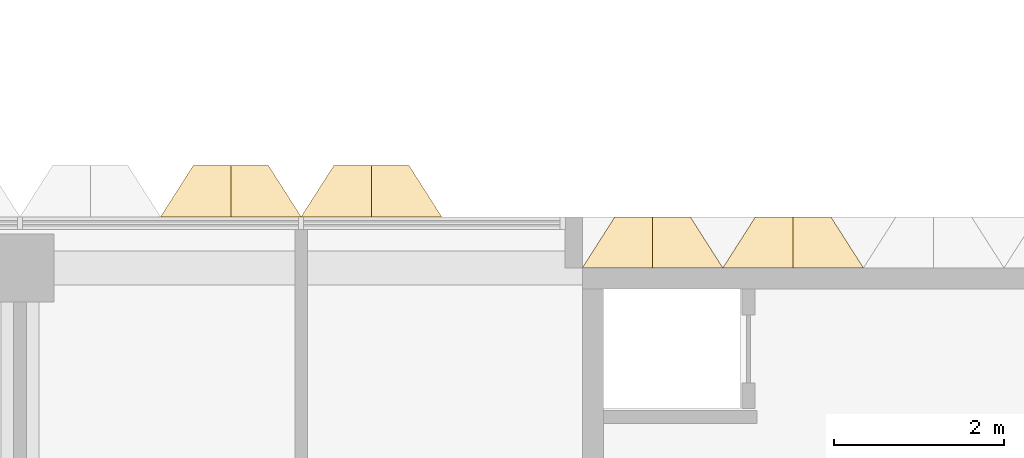
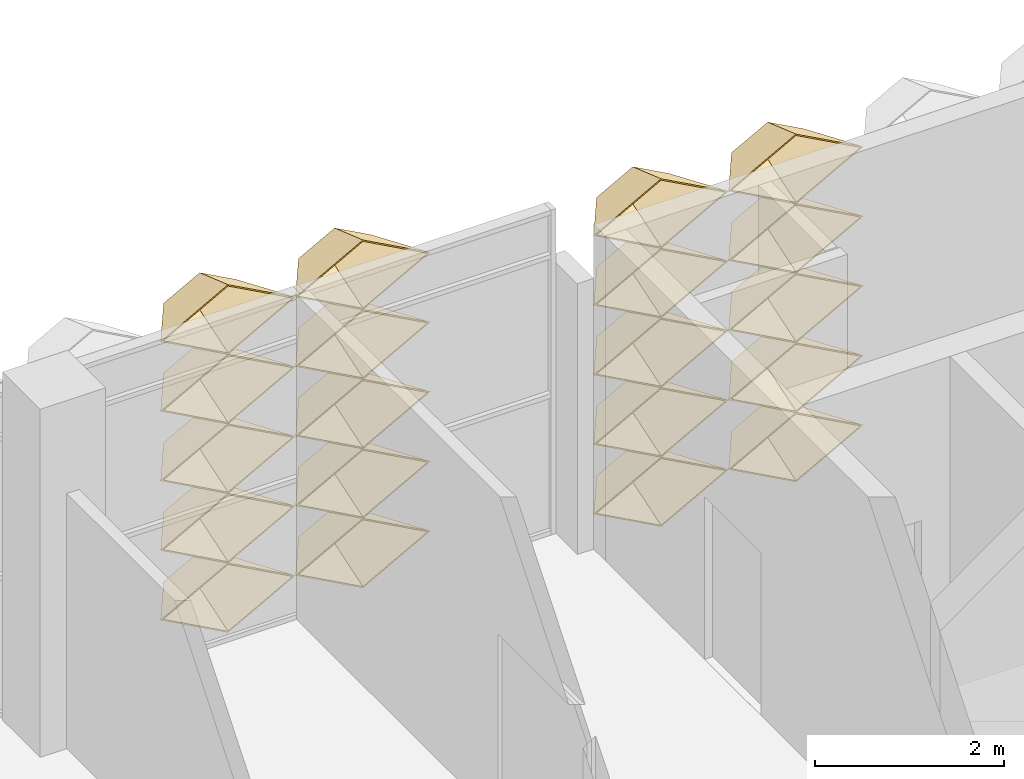
# One storey, part 67 of 102: 20 coverings.
"""IFC4 building model written with IfcOpenShell, lengths in metres."""

from ifc_helpers import new_model, entity, si_unit, direction, frame, origin, place, context, subcontext, project, spatial, material, layer, layer_set, type_object, element, save


model = new_model("IFC4")

# Units and contexts
model_context = context("Model", 3, precision=1e-05, world=origin(), true_north=direction((0.0, 1.0)))
body_context = subcontext(model_context, "Body", "Model", "MODEL_VIEW")
ifc_project = project(units=[si_unit("LENGTHUNIT", "METRE"), si_unit("AREAUNIT", "SQUARE_METRE"), si_unit("VOLUMEUNIT", "CUBIC_METRE"), si_unit("PLANEANGLEUNIT", "RADIAN"), si_unit("MASSUNIT", "GRAM", prefix="KILO")], contexts=[model_context])

# Site, building, storey
site_placement = place(None, origin())
site = spatial("IfcSite", under=ifc_project, at=site_placement, CompositionType="ELEMENT")
building_placement = place(site_placement, origin())
building = spatial("IfcBuilding", under=site, at=building_placement, Name="Lantern Court Research Institute", CompositionType="ELEMENT")
storey_placement = place(building_placement, frame((0.0, 0.0, 9.89990234375)))
storey = spatial("IfcBuildingStorey", under=building, at=storey_placement, Name="L02", CompositionType="ELEMENT", Elevation=9.89990234375)

# Coverings
ifc_material = material(Name="Anodised aluminium", Category="aluminium")
ifc_layer = layer(ifc_material, 0.01611328125)
ifc_layer_set = layer_set([ifc_layer], Name="Anodised aluminium")
covering_type = type_object("IfcCoveringType", Name="Fin cassette 1650 x 900 x 600 aluminium", PredefinedType="CLADDING", material=ifc_layer_set)
covering_1_placement = place(storey_placement, frame((20.625, 23.10009765625, 0.4501953125), z_axis=(0.0, 1.0, 0.0), x_axis=(-1.0, 0.0, 0.0)))
cartesian_point_1 = entity("IfcCartesianPoint", [0.824951171875, 0.0])
cartesian_point_2 = entity("IfcCartesianPoint", [0.79150390625, 0.0])
cartesian_point_3 = entity("IfcCartesianPoint", [0.44189453125, 0.0])
cartesian_point_4 = entity("IfcCartesianPoint", [0.43359375, 0.0])
element("IfcCovering", 1, at=covering_1_placement, inside=storey, type_object=covering_type, Name="Fin cassette V4N-L02 1.13", PredefinedType="CLADDING", context=body_context, shape_type="SweptSolid", body=[
    entity("IfcExtrudedAreaSolidTapered", entity("IfcArbitraryProfileDefWithVoids", "AREA", None, entity("IfcPolyline", [cartesian_point_1, entity("IfcCartesianPoint", [0.0, 0.449951171875]), entity("IfcCartesianPoint", [-0.824951171875, 0.0]), entity("IfcCartesianPoint", [0.0, -0.449951171875]), cartesian_point_1]), [entity("IfcPolyline", [cartesian_point_2, entity("IfcCartesianPoint", [0.0, 0.431884765625]), entity("IfcCartesianPoint", [-0.79150390625, 0.0]), entity("IfcCartesianPoint", [0.0, -0.431884765625]), cartesian_point_2])]), entity("IfcAxis2Placement3D", entity("IfcCartesianPoint", [0.0, 0.0, 0.0])), entity("IfcDirection", [0.0, 0.0, 1.0]), 0.60009765625, entity("IfcArbitraryProfileDefWithVoids", "AREA", None, entity("IfcPolyline", [cartesian_point_3, entity("IfcCartesianPoint", [0.0, 0.240966796875]), entity("IfcCartesianPoint", [-0.44189453125, 0.0]), entity("IfcCartesianPoint", [0.0, -0.240966796875]), cartesian_point_3]), [entity("IfcPolyline", [cartesian_point_4, entity("IfcCartesianPoint", [0.0, 0.236572265625]), entity("IfcCartesianPoint", [-0.43359375, 0.0]), entity("IfcCartesianPoint", [0.0, -0.236572265625]), cartesian_point_4])])),
])
covering_2_placement = place(storey_placement, frame((22.27490234375, 23.10009765625, 0.4501953125), z_axis=(0.0, 1.0, 0.0), x_axis=(-1.0, 0.0, 0.0)))
cartesian_point_5 = entity("IfcCartesianPoint", [0.824951171875, 0.0])
cartesian_point_6 = entity("IfcCartesianPoint", [0.79150390625, 0.0])
cartesian_point_7 = entity("IfcCartesianPoint", [0.44189453125, 0.0])
cartesian_point_8 = entity("IfcCartesianPoint", [0.43359375, 0.0])
element("IfcCovering", 2, at=covering_2_placement, inside=storey, type_object=covering_type, Name="Fin cassette V4N-L02 1.14", PredefinedType="CLADDING", context=body_context, shape_type="SweptSolid", body=[
    entity("IfcExtrudedAreaSolidTapered", entity("IfcArbitraryProfileDefWithVoids", "AREA", None, entity("IfcPolyline", [cartesian_point_5, entity("IfcCartesianPoint", [0.0, 0.449951171875]), entity("IfcCartesianPoint", [-0.824951171875, 0.0]), entity("IfcCartesianPoint", [0.0, -0.449951171875]), cartesian_point_5]), [entity("IfcPolyline", [cartesian_point_6, entity("IfcCartesianPoint", [0.0, 0.431884765625]), entity("IfcCartesianPoint", [-0.79150390625, 0.0]), entity("IfcCartesianPoint", [0.0, -0.431884765625]), cartesian_point_6])]), entity("IfcAxis2Placement3D", entity("IfcCartesianPoint", [0.0, 0.0, 0.0])), entity("IfcDirection", [0.0, 0.0, 1.0]), 0.60009765625, entity("IfcArbitraryProfileDefWithVoids", "AREA", None, entity("IfcPolyline", [cartesian_point_7, entity("IfcCartesianPoint", [0.0, 0.240966796875]), entity("IfcCartesianPoint", [-0.44189453125, 0.0]), entity("IfcCartesianPoint", [0.0, -0.240966796875]), cartesian_point_7]), [entity("IfcPolyline", [cartesian_point_8, entity("IfcCartesianPoint", [0.0, 0.236572265625]), entity("IfcCartesianPoint", [-0.43359375, 0.0]), entity("IfcCartesianPoint", [0.0, -0.236572265625]), cartesian_point_8])])),
])
covering_3_placement = place(storey_placement, frame((20.625, 23.10009765625, 1.35009765625), z_axis=(0.0, 1.0, 0.0), x_axis=(-1.0, 0.0, 0.0)))
cartesian_point_9 = entity("IfcCartesianPoint", [0.824951171875, 0.0])
cartesian_point_10 = entity("IfcCartesianPoint", [0.79150390625, 0.0])
cartesian_point_11 = entity("IfcCartesianPoint", [0.44189453125, 0.0])
cartesian_point_12 = entity("IfcCartesianPoint", [0.43359375, 0.0])
element("IfcCovering", 3, at=covering_3_placement, inside=storey, type_object=covering_type, Name="Fin cassette V4N-L02 2.13", PredefinedType="CLADDING", context=body_context, shape_type="SweptSolid", body=[
    entity("IfcExtrudedAreaSolidTapered", entity("IfcArbitraryProfileDefWithVoids", "AREA", None, entity("IfcPolyline", [cartesian_point_9, entity("IfcCartesianPoint", [0.0, 0.449951171875]), entity("IfcCartesianPoint", [-0.824951171875, 0.0]), entity("IfcCartesianPoint", [0.0, -0.449951171875]), cartesian_point_9]), [entity("IfcPolyline", [cartesian_point_10, entity("IfcCartesianPoint", [0.0, 0.431884765625]), entity("IfcCartesianPoint", [-0.79150390625, 0.0]), entity("IfcCartesianPoint", [0.0, -0.431884765625]), cartesian_point_10])]), entity("IfcAxis2Placement3D", entity("IfcCartesianPoint", [0.0, 0.0, 0.0])), entity("IfcDirection", [0.0, 0.0, 1.0]), 0.60009765625, entity("IfcArbitraryProfileDefWithVoids", "AREA", None, entity("IfcPolyline", [cartesian_point_11, entity("IfcCartesianPoint", [0.0, 0.240966796875]), entity("IfcCartesianPoint", [-0.44189453125, 0.0]), entity("IfcCartesianPoint", [0.0, -0.240966796875]), cartesian_point_11]), [entity("IfcPolyline", [cartesian_point_12, entity("IfcCartesianPoint", [0.0, 0.236572265625]), entity("IfcCartesianPoint", [-0.43359375, 0.0]), entity("IfcCartesianPoint", [0.0, -0.236572265625]), cartesian_point_12])])),
])
covering_4_placement = place(storey_placement, frame((22.27490234375, 23.10009765625, 1.35009765625), z_axis=(0.0, 1.0, 0.0), x_axis=(-1.0, 0.0, 0.0)))
cartesian_point_13 = entity("IfcCartesianPoint", [0.824951171875, 0.0])
cartesian_point_14 = entity("IfcCartesianPoint", [0.79150390625, 0.0])
cartesian_point_15 = entity("IfcCartesianPoint", [0.44189453125, 0.0])
cartesian_point_16 = entity("IfcCartesianPoint", [0.43359375, 0.0])
element("IfcCovering", 4, at=covering_4_placement, inside=storey, type_object=covering_type, Name="Fin cassette V4N-L02 2.14", PredefinedType="CLADDING", context=body_context, shape_type="SweptSolid", body=[
    entity("IfcExtrudedAreaSolidTapered", entity("IfcArbitraryProfileDefWithVoids", "AREA", None, entity("IfcPolyline", [cartesian_point_13, entity("IfcCartesianPoint", [0.0, 0.449951171875]), entity("IfcCartesianPoint", [-0.824951171875, 0.0]), entity("IfcCartesianPoint", [0.0, -0.449951171875]), cartesian_point_13]), [entity("IfcPolyline", [cartesian_point_14, entity("IfcCartesianPoint", [0.0, 0.431884765625]), entity("IfcCartesianPoint", [-0.79150390625, 0.0]), entity("IfcCartesianPoint", [0.0, -0.431884765625]), cartesian_point_14])]), entity("IfcAxis2Placement3D", entity("IfcCartesianPoint", [0.0, 0.0, 0.0])), entity("IfcDirection", [0.0, 0.0, 1.0]), 0.60009765625, entity("IfcArbitraryProfileDefWithVoids", "AREA", None, entity("IfcPolyline", [cartesian_point_15, entity("IfcCartesianPoint", [0.0, 0.240966796875]), entity("IfcCartesianPoint", [-0.44189453125, 0.0]), entity("IfcCartesianPoint", [0.0, -0.240966796875]), cartesian_point_15]), [entity("IfcPolyline", [cartesian_point_16, entity("IfcCartesianPoint", [0.0, 0.236572265625]), entity("IfcCartesianPoint", [-0.43359375, 0.0]), entity("IfcCartesianPoint", [0.0, -0.236572265625]), cartesian_point_16])])),
])
covering_5_placement = place(storey_placement, frame((20.625, 23.10009765625, 2.25), z_axis=(0.0, 1.0, 0.0), x_axis=(-1.0, 0.0, 0.0)))
cartesian_point_17 = entity("IfcCartesianPoint", [0.824951171875, 0.0])
cartesian_point_18 = entity("IfcCartesianPoint", [0.79150390625, 0.0])
cartesian_point_19 = entity("IfcCartesianPoint", [0.44189453125, 0.0])
cartesian_point_20 = entity("IfcCartesianPoint", [0.43359375, 0.0])
element("IfcCovering", 5, at=covering_5_placement, inside=storey, type_object=covering_type, Name="Fin cassette V4N-L02 3.13", PredefinedType="CLADDING", context=body_context, shape_type="SweptSolid", body=[
    entity("IfcExtrudedAreaSolidTapered", entity("IfcArbitraryProfileDefWithVoids", "AREA", None, entity("IfcPolyline", [cartesian_point_17, entity("IfcCartesianPoint", [0.0, 0.449951171875]), entity("IfcCartesianPoint", [-0.824951171875, 0.0]), entity("IfcCartesianPoint", [0.0, -0.449951171875]), cartesian_point_17]), [entity("IfcPolyline", [cartesian_point_18, entity("IfcCartesianPoint", [0.0, 0.431884765625]), entity("IfcCartesianPoint", [-0.79150390625, 0.0]), entity("IfcCartesianPoint", [0.0, -0.431884765625]), cartesian_point_18])]), entity("IfcAxis2Placement3D", entity("IfcCartesianPoint", [0.0, 0.0, 0.0])), entity("IfcDirection", [0.0, 0.0, 1.0]), 0.60009765625, entity("IfcArbitraryProfileDefWithVoids", "AREA", None, entity("IfcPolyline", [cartesian_point_19, entity("IfcCartesianPoint", [0.0, 0.240966796875]), entity("IfcCartesianPoint", [-0.44189453125, 0.0]), entity("IfcCartesianPoint", [0.0, -0.240966796875]), cartesian_point_19]), [entity("IfcPolyline", [cartesian_point_20, entity("IfcCartesianPoint", [0.0, 0.236572265625]), entity("IfcCartesianPoint", [-0.43359375, 0.0]), entity("IfcCartesianPoint", [0.0, -0.236572265625]), cartesian_point_20])])),
])
covering_6_placement = place(storey_placement, frame((22.27490234375, 23.10009765625, 2.25), z_axis=(0.0, 1.0, 0.0), x_axis=(-1.0, 0.0, 0.0)))
cartesian_point_21 = entity("IfcCartesianPoint", [0.824951171875, 0.0])
cartesian_point_22 = entity("IfcCartesianPoint", [0.79150390625, 0.0])
cartesian_point_23 = entity("IfcCartesianPoint", [0.44189453125, 0.0])
cartesian_point_24 = entity("IfcCartesianPoint", [0.43359375, 0.0])
element("IfcCovering", 6, at=covering_6_placement, inside=storey, type_object=covering_type, Name="Fin cassette V4N-L02 3.14", PredefinedType="CLADDING", context=body_context, shape_type="SweptSolid", body=[
    entity("IfcExtrudedAreaSolidTapered", entity("IfcArbitraryProfileDefWithVoids", "AREA", None, entity("IfcPolyline", [cartesian_point_21, entity("IfcCartesianPoint", [0.0, 0.449951171875]), entity("IfcCartesianPoint", [-0.824951171875, 0.0]), entity("IfcCartesianPoint", [0.0, -0.449951171875]), cartesian_point_21]), [entity("IfcPolyline", [cartesian_point_22, entity("IfcCartesianPoint", [0.0, 0.431884765625]), entity("IfcCartesianPoint", [-0.79150390625, 0.0]), entity("IfcCartesianPoint", [0.0, -0.431884765625]), cartesian_point_22])]), entity("IfcAxis2Placement3D", entity("IfcCartesianPoint", [0.0, 0.0, 0.0])), entity("IfcDirection", [0.0, 0.0, 1.0]), 0.60009765625, entity("IfcArbitraryProfileDefWithVoids", "AREA", None, entity("IfcPolyline", [cartesian_point_23, entity("IfcCartesianPoint", [0.0, 0.240966796875]), entity("IfcCartesianPoint", [-0.44189453125, 0.0]), entity("IfcCartesianPoint", [0.0, -0.240966796875]), cartesian_point_23]), [entity("IfcPolyline", [cartesian_point_24, entity("IfcCartesianPoint", [0.0, 0.236572265625]), entity("IfcCartesianPoint", [-0.43359375, 0.0]), entity("IfcCartesianPoint", [0.0, -0.236572265625]), cartesian_point_24])])),
])
covering_7_placement = place(storey_placement, frame((20.625, 23.10009765625, 3.150146484375), z_axis=(0.0, 1.0, 0.0), x_axis=(-1.0, 0.0, 0.0)))
cartesian_point_25 = entity("IfcCartesianPoint", [0.824951171875, 0.0])
cartesian_point_26 = entity("IfcCartesianPoint", [0.79150390625, 0.0])
cartesian_point_27 = entity("IfcCartesianPoint", [0.44189453125, 0.0])
cartesian_point_28 = entity("IfcCartesianPoint", [0.43359375, 0.0])
element("IfcCovering", 7, at=covering_7_placement, inside=storey, type_object=covering_type, Name="Fin cassette V4N-L02 4.13", PredefinedType="CLADDING", context=body_context, shape_type="SweptSolid", body=[
    entity("IfcExtrudedAreaSolidTapered", entity("IfcArbitraryProfileDefWithVoids", "AREA", None, entity("IfcPolyline", [cartesian_point_25, entity("IfcCartesianPoint", [0.0, 0.449951171875]), entity("IfcCartesianPoint", [-0.824951171875, 0.0]), entity("IfcCartesianPoint", [0.0, -0.449951171875]), cartesian_point_25]), [entity("IfcPolyline", [cartesian_point_26, entity("IfcCartesianPoint", [0.0, 0.431884765625]), entity("IfcCartesianPoint", [-0.79150390625, 0.0]), entity("IfcCartesianPoint", [0.0, -0.431884765625]), cartesian_point_26])]), entity("IfcAxis2Placement3D", entity("IfcCartesianPoint", [0.0, 0.0, 0.0])), entity("IfcDirection", [0.0, 0.0, 1.0]), 0.60009765625, entity("IfcArbitraryProfileDefWithVoids", "AREA", None, entity("IfcPolyline", [cartesian_point_27, entity("IfcCartesianPoint", [0.0, 0.240966796875]), entity("IfcCartesianPoint", [-0.44189453125, 0.0]), entity("IfcCartesianPoint", [0.0, -0.240966796875]), cartesian_point_27]), [entity("IfcPolyline", [cartesian_point_28, entity("IfcCartesianPoint", [0.0, 0.236572265625]), entity("IfcCartesianPoint", [-0.43359375, 0.0]), entity("IfcCartesianPoint", [0.0, -0.236572265625]), cartesian_point_28])])),
])
covering_8_placement = place(storey_placement, frame((22.27490234375, 23.10009765625, 3.150146484375), z_axis=(0.0, 1.0, 0.0), x_axis=(-1.0, 0.0, 0.0)))
cartesian_point_29 = entity("IfcCartesianPoint", [0.824951171875, 0.0])
cartesian_point_30 = entity("IfcCartesianPoint", [0.79150390625, 0.0])
cartesian_point_31 = entity("IfcCartesianPoint", [0.44189453125, 0.0])
cartesian_point_32 = entity("IfcCartesianPoint", [0.43359375, 0.0])
element("IfcCovering", 8, at=covering_8_placement, inside=storey, type_object=covering_type, Name="Fin cassette V4N-L02 4.14", PredefinedType="CLADDING", context=body_context, shape_type="SweptSolid", body=[
    entity("IfcExtrudedAreaSolidTapered", entity("IfcArbitraryProfileDefWithVoids", "AREA", None, entity("IfcPolyline", [cartesian_point_29, entity("IfcCartesianPoint", [0.0, 0.449951171875]), entity("IfcCartesianPoint", [-0.824951171875, 0.0]), entity("IfcCartesianPoint", [0.0, -0.449951171875]), cartesian_point_29]), [entity("IfcPolyline", [cartesian_point_30, entity("IfcCartesianPoint", [0.0, 0.431884765625]), entity("IfcCartesianPoint", [-0.79150390625, 0.0]), entity("IfcCartesianPoint", [0.0, -0.431884765625]), cartesian_point_30])]), entity("IfcAxis2Placement3D", entity("IfcCartesianPoint", [0.0, 0.0, 0.0])), entity("IfcDirection", [0.0, 0.0, 1.0]), 0.60009765625, entity("IfcArbitraryProfileDefWithVoids", "AREA", None, entity("IfcPolyline", [cartesian_point_31, entity("IfcCartesianPoint", [0.0, 0.240966796875]), entity("IfcCartesianPoint", [-0.44189453125, 0.0]), entity("IfcCartesianPoint", [0.0, -0.240966796875]), cartesian_point_31]), [entity("IfcPolyline", [cartesian_point_32, entity("IfcCartesianPoint", [0.0, 0.236572265625]), entity("IfcCartesianPoint", [-0.43359375, 0.0]), entity("IfcCartesianPoint", [0.0, -0.236572265625]), cartesian_point_32])])),
])
covering_9_placement = place(storey_placement, frame((20.625, 23.10009765625, 4.050048828125), z_axis=(0.0, 1.0, 0.0), x_axis=(-1.0, 0.0, 0.0)))
cartesian_point_33 = entity("IfcCartesianPoint", [0.824951171875, 0.0])
cartesian_point_34 = entity("IfcCartesianPoint", [0.79150390625, 0.0])
cartesian_point_35 = entity("IfcCartesianPoint", [0.44189453125, 0.0])
cartesian_point_36 = entity("IfcCartesianPoint", [0.43359375, 0.0])
element("IfcCovering", 9, at=covering_9_placement, inside=storey, type_object=covering_type, Name="Fin cassette V4N-L02 5.13", PredefinedType="CLADDING", context=body_context, shape_type="SweptSolid", body=[
    entity("IfcExtrudedAreaSolidTapered", entity("IfcArbitraryProfileDefWithVoids", "AREA", None, entity("IfcPolyline", [cartesian_point_33, entity("IfcCartesianPoint", [0.0, 0.449951171875]), entity("IfcCartesianPoint", [-0.824951171875, 0.0]), entity("IfcCartesianPoint", [0.0, -0.449951171875]), cartesian_point_33]), [entity("IfcPolyline", [cartesian_point_34, entity("IfcCartesianPoint", [0.0, 0.431884765625]), entity("IfcCartesianPoint", [-0.79150390625, 0.0]), entity("IfcCartesianPoint", [0.0, -0.431884765625]), cartesian_point_34])]), entity("IfcAxis2Placement3D", entity("IfcCartesianPoint", [0.0, 0.0, 0.0])), entity("IfcDirection", [0.0, 0.0, 1.0]), 0.60009765625, entity("IfcArbitraryProfileDefWithVoids", "AREA", None, entity("IfcPolyline", [cartesian_point_35, entity("IfcCartesianPoint", [0.0, 0.240966796875]), entity("IfcCartesianPoint", [-0.44189453125, 0.0]), entity("IfcCartesianPoint", [0.0, -0.240966796875]), cartesian_point_35]), [entity("IfcPolyline", [cartesian_point_36, entity("IfcCartesianPoint", [0.0, 0.236572265625]), entity("IfcCartesianPoint", [-0.43359375, 0.0]), entity("IfcCartesianPoint", [0.0, -0.236572265625]), cartesian_point_36])])),
])
covering_10_placement = place(storey_placement, frame((22.27490234375, 23.10009765625, 4.050048828125), z_axis=(0.0, 1.0, 0.0), x_axis=(-1.0, 0.0, 0.0)))
cartesian_point_37 = entity("IfcCartesianPoint", [0.824951171875, 0.0])
cartesian_point_38 = entity("IfcCartesianPoint", [0.79150390625, 0.0])
cartesian_point_39 = entity("IfcCartesianPoint", [0.44189453125, 0.0])
cartesian_point_40 = entity("IfcCartesianPoint", [0.43359375, 0.0])
element("IfcCovering", 10, at=covering_10_placement, inside=storey, type_object=covering_type, Name="Fin cassette V4N-L02 5.14", PredefinedType="CLADDING", context=body_context, shape_type="SweptSolid", body=[
    entity("IfcExtrudedAreaSolidTapered", entity("IfcArbitraryProfileDefWithVoids", "AREA", None, entity("IfcPolyline", [cartesian_point_37, entity("IfcCartesianPoint", [0.0, 0.449951171875]), entity("IfcCartesianPoint", [-0.824951171875, 0.0]), entity("IfcCartesianPoint", [0.0, -0.449951171875]), cartesian_point_37]), [entity("IfcPolyline", [cartesian_point_38, entity("IfcCartesianPoint", [0.0, 0.431884765625]), entity("IfcCartesianPoint", [-0.79150390625, 0.0]), entity("IfcCartesianPoint", [0.0, -0.431884765625]), cartesian_point_38])]), entity("IfcAxis2Placement3D", entity("IfcCartesianPoint", [0.0, 0.0, 0.0])), entity("IfcDirection", [0.0, 0.0, 1.0]), 0.60009765625, entity("IfcArbitraryProfileDefWithVoids", "AREA", None, entity("IfcPolyline", [cartesian_point_39, entity("IfcCartesianPoint", [0.0, 0.240966796875]), entity("IfcCartesianPoint", [-0.44189453125, 0.0]), entity("IfcCartesianPoint", [0.0, -0.240966796875]), cartesian_point_39]), [entity("IfcPolyline", [cartesian_point_40, entity("IfcCartesianPoint", [0.0, 0.236572265625]), entity("IfcCartesianPoint", [-0.43359375, 0.0]), entity("IfcCartesianPoint", [0.0, -0.236572265625]), cartesian_point_40])])),
])
covering_11_placement = place(storey_placement, frame((15.675048828125, 23.699951171875, 0.4501953125), z_axis=(0.0, 1.0, 0.0), x_axis=(-1.0, 0.0, 0.0)))
cartesian_point_41 = entity("IfcCartesianPoint", [0.824951171875, 0.0])
cartesian_point_42 = entity("IfcCartesianPoint", [0.79150390625, 0.0])
cartesian_point_43 = entity("IfcCartesianPoint", [0.44189453125, 0.0])
cartesian_point_44 = entity("IfcCartesianPoint", [0.43359375, 0.0])
element("IfcCovering", 11, at=covering_11_placement, inside=storey, type_object=covering_type, Name="Fin cassette V4N-L02 1.10", PredefinedType="CLADDING", context=body_context, shape_type="SweptSolid", body=[
    entity("IfcExtrudedAreaSolidTapered", entity("IfcArbitraryProfileDefWithVoids", "AREA", None, entity("IfcPolyline", [cartesian_point_41, entity("IfcCartesianPoint", [0.0, 0.449951171875]), entity("IfcCartesianPoint", [-0.824951171875, 0.0]), entity("IfcCartesianPoint", [0.0, -0.449951171875]), cartesian_point_41]), [entity("IfcPolyline", [cartesian_point_42, entity("IfcCartesianPoint", [0.0, 0.431884765625]), entity("IfcCartesianPoint", [-0.79150390625, 0.0]), entity("IfcCartesianPoint", [0.0, -0.431884765625]), cartesian_point_42])]), entity("IfcAxis2Placement3D", entity("IfcCartesianPoint", [0.0, 0.0, 0.0])), entity("IfcDirection", [0.0, 0.0, 1.0]), 0.60009765625, entity("IfcArbitraryProfileDefWithVoids", "AREA", None, entity("IfcPolyline", [cartesian_point_43, entity("IfcCartesianPoint", [0.0, 0.240966796875]), entity("IfcCartesianPoint", [-0.44189453125, 0.0]), entity("IfcCartesianPoint", [0.0, -0.240966796875]), cartesian_point_43]), [entity("IfcPolyline", [cartesian_point_44, entity("IfcCartesianPoint", [0.0, 0.236572265625]), entity("IfcCartesianPoint", [-0.43359375, 0.0]), entity("IfcCartesianPoint", [0.0, -0.236572265625]), cartesian_point_44])])),
])
covering_12_placement = place(storey_placement, frame((17.324951171875, 23.699951171875, 0.4501953125), z_axis=(0.0, 1.0, 0.0), x_axis=(-1.0, 0.0, 0.0)))
cartesian_point_45 = entity("IfcCartesianPoint", [0.824951171875, 0.0])
cartesian_point_46 = entity("IfcCartesianPoint", [0.79150390625, 0.0])
cartesian_point_47 = entity("IfcCartesianPoint", [0.44189453125, 0.0])
cartesian_point_48 = entity("IfcCartesianPoint", [0.43359375, 0.0])
element("IfcCovering", 12, at=covering_12_placement, inside=storey, type_object=covering_type, Name="Fin cassette V4N-L02 1.11", PredefinedType="CLADDING", context=body_context, shape_type="SweptSolid", body=[
    entity("IfcExtrudedAreaSolidTapered", entity("IfcArbitraryProfileDefWithVoids", "AREA", None, entity("IfcPolyline", [cartesian_point_45, entity("IfcCartesianPoint", [0.0, 0.449951171875]), entity("IfcCartesianPoint", [-0.824951171875, 0.0]), entity("IfcCartesianPoint", [0.0, -0.449951171875]), cartesian_point_45]), [entity("IfcPolyline", [cartesian_point_46, entity("IfcCartesianPoint", [0.0, 0.431884765625]), entity("IfcCartesianPoint", [-0.79150390625, 0.0]), entity("IfcCartesianPoint", [0.0, -0.431884765625]), cartesian_point_46])]), entity("IfcAxis2Placement3D", entity("IfcCartesianPoint", [0.0, 0.0, 0.0])), entity("IfcDirection", [0.0, 0.0, 1.0]), 0.60009765625, entity("IfcArbitraryProfileDefWithVoids", "AREA", None, entity("IfcPolyline", [cartesian_point_47, entity("IfcCartesianPoint", [0.0, 0.240966796875]), entity("IfcCartesianPoint", [-0.44189453125, 0.0]), entity("IfcCartesianPoint", [0.0, -0.240966796875]), cartesian_point_47]), [entity("IfcPolyline", [cartesian_point_48, entity("IfcCartesianPoint", [0.0, 0.236572265625]), entity("IfcCartesianPoint", [-0.43359375, 0.0]), entity("IfcCartesianPoint", [0.0, -0.236572265625]), cartesian_point_48])])),
])
covering_13_placement = place(storey_placement, frame((15.675048828125, 23.699951171875, 1.35009765625), z_axis=(0.0, 1.0, 0.0), x_axis=(-1.0, 0.0, 0.0)))
cartesian_point_49 = entity("IfcCartesianPoint", [0.824951171875, 0.0])
cartesian_point_50 = entity("IfcCartesianPoint", [0.79150390625, 0.0])
cartesian_point_51 = entity("IfcCartesianPoint", [0.44189453125, 0.0])
cartesian_point_52 = entity("IfcCartesianPoint", [0.43359375, 0.0])
element("IfcCovering", 13, at=covering_13_placement, inside=storey, type_object=covering_type, Name="Fin cassette V4N-L02 2.10", PredefinedType="CLADDING", context=body_context, shape_type="SweptSolid", body=[
    entity("IfcExtrudedAreaSolidTapered", entity("IfcArbitraryProfileDefWithVoids", "AREA", None, entity("IfcPolyline", [cartesian_point_49, entity("IfcCartesianPoint", [0.0, 0.449951171875]), entity("IfcCartesianPoint", [-0.824951171875, 0.0]), entity("IfcCartesianPoint", [0.0, -0.449951171875]), cartesian_point_49]), [entity("IfcPolyline", [cartesian_point_50, entity("IfcCartesianPoint", [0.0, 0.431884765625]), entity("IfcCartesianPoint", [-0.79150390625, 0.0]), entity("IfcCartesianPoint", [0.0, -0.431884765625]), cartesian_point_50])]), entity("IfcAxis2Placement3D", entity("IfcCartesianPoint", [0.0, 0.0, 0.0])), entity("IfcDirection", [0.0, 0.0, 1.0]), 0.60009765625, entity("IfcArbitraryProfileDefWithVoids", "AREA", None, entity("IfcPolyline", [cartesian_point_51, entity("IfcCartesianPoint", [0.0, 0.240966796875]), entity("IfcCartesianPoint", [-0.44189453125, 0.0]), entity("IfcCartesianPoint", [0.0, -0.240966796875]), cartesian_point_51]), [entity("IfcPolyline", [cartesian_point_52, entity("IfcCartesianPoint", [0.0, 0.236572265625]), entity("IfcCartesianPoint", [-0.43359375, 0.0]), entity("IfcCartesianPoint", [0.0, -0.236572265625]), cartesian_point_52])])),
])
covering_14_placement = place(storey_placement, frame((17.324951171875, 23.699951171875, 1.35009765625), z_axis=(0.0, 1.0, 0.0), x_axis=(-1.0, 0.0, 0.0)))
cartesian_point_53 = entity("IfcCartesianPoint", [0.824951171875, 0.0])
cartesian_point_54 = entity("IfcCartesianPoint", [0.79150390625, 0.0])
cartesian_point_55 = entity("IfcCartesianPoint", [0.44189453125, 0.0])
cartesian_point_56 = entity("IfcCartesianPoint", [0.43359375, 0.0])
element("IfcCovering", 14, at=covering_14_placement, inside=storey, type_object=covering_type, Name="Fin cassette V4N-L02 2.11", PredefinedType="CLADDING", context=body_context, shape_type="SweptSolid", body=[
    entity("IfcExtrudedAreaSolidTapered", entity("IfcArbitraryProfileDefWithVoids", "AREA", None, entity("IfcPolyline", [cartesian_point_53, entity("IfcCartesianPoint", [0.0, 0.449951171875]), entity("IfcCartesianPoint", [-0.824951171875, 0.0]), entity("IfcCartesianPoint", [0.0, -0.449951171875]), cartesian_point_53]), [entity("IfcPolyline", [cartesian_point_54, entity("IfcCartesianPoint", [0.0, 0.431884765625]), entity("IfcCartesianPoint", [-0.79150390625, 0.0]), entity("IfcCartesianPoint", [0.0, -0.431884765625]), cartesian_point_54])]), entity("IfcAxis2Placement3D", entity("IfcCartesianPoint", [0.0, 0.0, 0.0])), entity("IfcDirection", [0.0, 0.0, 1.0]), 0.60009765625, entity("IfcArbitraryProfileDefWithVoids", "AREA", None, entity("IfcPolyline", [cartesian_point_55, entity("IfcCartesianPoint", [0.0, 0.240966796875]), entity("IfcCartesianPoint", [-0.44189453125, 0.0]), entity("IfcCartesianPoint", [0.0, -0.240966796875]), cartesian_point_55]), [entity("IfcPolyline", [cartesian_point_56, entity("IfcCartesianPoint", [0.0, 0.236572265625]), entity("IfcCartesianPoint", [-0.43359375, 0.0]), entity("IfcCartesianPoint", [0.0, -0.236572265625]), cartesian_point_56])])),
])
covering_15_placement = place(storey_placement, frame((15.675048828125, 23.699951171875, 2.25), z_axis=(0.0, 1.0, 0.0), x_axis=(-1.0, 0.0, 0.0)))
cartesian_point_57 = entity("IfcCartesianPoint", [0.824951171875, 0.0])
cartesian_point_58 = entity("IfcCartesianPoint", [0.79150390625, 0.0])
cartesian_point_59 = entity("IfcCartesianPoint", [0.44189453125, 0.0])
cartesian_point_60 = entity("IfcCartesianPoint", [0.43359375, 0.0])
element("IfcCovering", 15, at=covering_15_placement, inside=storey, type_object=covering_type, Name="Fin cassette V4N-L02 3.10", PredefinedType="CLADDING", context=body_context, shape_type="SweptSolid", body=[
    entity("IfcExtrudedAreaSolidTapered", entity("IfcArbitraryProfileDefWithVoids", "AREA", None, entity("IfcPolyline", [cartesian_point_57, entity("IfcCartesianPoint", [0.0, 0.449951171875]), entity("IfcCartesianPoint", [-0.824951171875, 0.0]), entity("IfcCartesianPoint", [0.0, -0.449951171875]), cartesian_point_57]), [entity("IfcPolyline", [cartesian_point_58, entity("IfcCartesianPoint", [0.0, 0.431884765625]), entity("IfcCartesianPoint", [-0.79150390625, 0.0]), entity("IfcCartesianPoint", [0.0, -0.431884765625]), cartesian_point_58])]), entity("IfcAxis2Placement3D", entity("IfcCartesianPoint", [0.0, 0.0, 0.0])), entity("IfcDirection", [0.0, 0.0, 1.0]), 0.60009765625, entity("IfcArbitraryProfileDefWithVoids", "AREA", None, entity("IfcPolyline", [cartesian_point_59, entity("IfcCartesianPoint", [0.0, 0.240966796875]), entity("IfcCartesianPoint", [-0.44189453125, 0.0]), entity("IfcCartesianPoint", [0.0, -0.240966796875]), cartesian_point_59]), [entity("IfcPolyline", [cartesian_point_60, entity("IfcCartesianPoint", [0.0, 0.236572265625]), entity("IfcCartesianPoint", [-0.43359375, 0.0]), entity("IfcCartesianPoint", [0.0, -0.236572265625]), cartesian_point_60])])),
])
covering_16_placement = place(storey_placement, frame((17.324951171875, 23.699951171875, 2.25), z_axis=(0.0, 1.0, 0.0), x_axis=(-1.0, 0.0, 0.0)))
cartesian_point_61 = entity("IfcCartesianPoint", [0.824951171875, 0.0])
cartesian_point_62 = entity("IfcCartesianPoint", [0.79150390625, 0.0])
cartesian_point_63 = entity("IfcCartesianPoint", [0.44189453125, 0.0])
cartesian_point_64 = entity("IfcCartesianPoint", [0.43359375, 0.0])
element("IfcCovering", 16, at=covering_16_placement, inside=storey, type_object=covering_type, Name="Fin cassette V4N-L02 3.11", PredefinedType="CLADDING", context=body_context, shape_type="SweptSolid", body=[
    entity("IfcExtrudedAreaSolidTapered", entity("IfcArbitraryProfileDefWithVoids", "AREA", None, entity("IfcPolyline", [cartesian_point_61, entity("IfcCartesianPoint", [0.0, 0.449951171875]), entity("IfcCartesianPoint", [-0.824951171875, 0.0]), entity("IfcCartesianPoint", [0.0, -0.449951171875]), cartesian_point_61]), [entity("IfcPolyline", [cartesian_point_62, entity("IfcCartesianPoint", [0.0, 0.431884765625]), entity("IfcCartesianPoint", [-0.79150390625, 0.0]), entity("IfcCartesianPoint", [0.0, -0.431884765625]), cartesian_point_62])]), entity("IfcAxis2Placement3D", entity("IfcCartesianPoint", [0.0, 0.0, 0.0])), entity("IfcDirection", [0.0, 0.0, 1.0]), 0.60009765625, entity("IfcArbitraryProfileDefWithVoids", "AREA", None, entity("IfcPolyline", [cartesian_point_63, entity("IfcCartesianPoint", [0.0, 0.240966796875]), entity("IfcCartesianPoint", [-0.44189453125, 0.0]), entity("IfcCartesianPoint", [0.0, -0.240966796875]), cartesian_point_63]), [entity("IfcPolyline", [cartesian_point_64, entity("IfcCartesianPoint", [0.0, 0.236572265625]), entity("IfcCartesianPoint", [-0.43359375, 0.0]), entity("IfcCartesianPoint", [0.0, -0.236572265625]), cartesian_point_64])])),
])
covering_17_placement = place(storey_placement, frame((15.675048828125, 23.699951171875, 3.150146484375), z_axis=(0.0, 1.0, 0.0), x_axis=(-1.0, 0.0, 0.0)))
cartesian_point_65 = entity("IfcCartesianPoint", [0.824951171875, 0.0])
cartesian_point_66 = entity("IfcCartesianPoint", [0.79150390625, 0.0])
cartesian_point_67 = entity("IfcCartesianPoint", [0.44189453125, 0.0])
cartesian_point_68 = entity("IfcCartesianPoint", [0.43359375, 0.0])
element("IfcCovering", 17, at=covering_17_placement, inside=storey, type_object=covering_type, Name="Fin cassette V4N-L02 4.10", PredefinedType="CLADDING", context=body_context, shape_type="SweptSolid", body=[
    entity("IfcExtrudedAreaSolidTapered", entity("IfcArbitraryProfileDefWithVoids", "AREA", None, entity("IfcPolyline", [cartesian_point_65, entity("IfcCartesianPoint", [0.0, 0.449951171875]), entity("IfcCartesianPoint", [-0.824951171875, 0.0]), entity("IfcCartesianPoint", [0.0, -0.449951171875]), cartesian_point_65]), [entity("IfcPolyline", [cartesian_point_66, entity("IfcCartesianPoint", [0.0, 0.431884765625]), entity("IfcCartesianPoint", [-0.79150390625, 0.0]), entity("IfcCartesianPoint", [0.0, -0.431884765625]), cartesian_point_66])]), entity("IfcAxis2Placement3D", entity("IfcCartesianPoint", [0.0, 0.0, 0.0])), entity("IfcDirection", [0.0, 0.0, 1.0]), 0.60009765625, entity("IfcArbitraryProfileDefWithVoids", "AREA", None, entity("IfcPolyline", [cartesian_point_67, entity("IfcCartesianPoint", [0.0, 0.240966796875]), entity("IfcCartesianPoint", [-0.44189453125, 0.0]), entity("IfcCartesianPoint", [0.0, -0.240966796875]), cartesian_point_67]), [entity("IfcPolyline", [cartesian_point_68, entity("IfcCartesianPoint", [0.0, 0.236572265625]), entity("IfcCartesianPoint", [-0.43359375, 0.0]), entity("IfcCartesianPoint", [0.0, -0.236572265625]), cartesian_point_68])])),
])
covering_18_placement = place(storey_placement, frame((17.324951171875, 23.699951171875, 3.150146484375), z_axis=(0.0, 1.0, 0.0), x_axis=(-1.0, 0.0, 0.0)))
cartesian_point_69 = entity("IfcCartesianPoint", [0.824951171875, 0.0])
cartesian_point_70 = entity("IfcCartesianPoint", [0.79150390625, 0.0])
cartesian_point_71 = entity("IfcCartesianPoint", [0.44189453125, 0.0])
cartesian_point_72 = entity("IfcCartesianPoint", [0.43359375, 0.0])
element("IfcCovering", 18, at=covering_18_placement, inside=storey, type_object=covering_type, Name="Fin cassette V4N-L02 4.11", PredefinedType="CLADDING", context=body_context, shape_type="SweptSolid", body=[
    entity("IfcExtrudedAreaSolidTapered", entity("IfcArbitraryProfileDefWithVoids", "AREA", None, entity("IfcPolyline", [cartesian_point_69, entity("IfcCartesianPoint", [0.0, 0.449951171875]), entity("IfcCartesianPoint", [-0.824951171875, 0.0]), entity("IfcCartesianPoint", [0.0, -0.449951171875]), cartesian_point_69]), [entity("IfcPolyline", [cartesian_point_70, entity("IfcCartesianPoint", [0.0, 0.431884765625]), entity("IfcCartesianPoint", [-0.79150390625, 0.0]), entity("IfcCartesianPoint", [0.0, -0.431884765625]), cartesian_point_70])]), entity("IfcAxis2Placement3D", entity("IfcCartesianPoint", [0.0, 0.0, 0.0])), entity("IfcDirection", [0.0, 0.0, 1.0]), 0.60009765625, entity("IfcArbitraryProfileDefWithVoids", "AREA", None, entity("IfcPolyline", [cartesian_point_71, entity("IfcCartesianPoint", [0.0, 0.240966796875]), entity("IfcCartesianPoint", [-0.44189453125, 0.0]), entity("IfcCartesianPoint", [0.0, -0.240966796875]), cartesian_point_71]), [entity("IfcPolyline", [cartesian_point_72, entity("IfcCartesianPoint", [0.0, 0.236572265625]), entity("IfcCartesianPoint", [-0.43359375, 0.0]), entity("IfcCartesianPoint", [0.0, -0.236572265625]), cartesian_point_72])])),
])
covering_19_placement = place(storey_placement, frame((15.675048828125, 23.699951171875, 4.050048828125), z_axis=(0.0, 1.0, 0.0), x_axis=(-1.0, 0.0, 0.0)))
cartesian_point_73 = entity("IfcCartesianPoint", [0.824951171875, 0.0])
cartesian_point_74 = entity("IfcCartesianPoint", [0.79150390625, 0.0])
cartesian_point_75 = entity("IfcCartesianPoint", [0.44189453125, 0.0])
cartesian_point_76 = entity("IfcCartesianPoint", [0.43359375, 0.0])
element("IfcCovering", 19, at=covering_19_placement, inside=storey, type_object=covering_type, Name="Fin cassette V4N-L02 5.10", PredefinedType="CLADDING", context=body_context, shape_type="SweptSolid", body=[
    entity("IfcExtrudedAreaSolidTapered", entity("IfcArbitraryProfileDefWithVoids", "AREA", None, entity("IfcPolyline", [cartesian_point_73, entity("IfcCartesianPoint", [0.0, 0.449951171875]), entity("IfcCartesianPoint", [-0.824951171875, 0.0]), entity("IfcCartesianPoint", [0.0, -0.449951171875]), cartesian_point_73]), [entity("IfcPolyline", [cartesian_point_74, entity("IfcCartesianPoint", [0.0, 0.431884765625]), entity("IfcCartesianPoint", [-0.79150390625, 0.0]), entity("IfcCartesianPoint", [0.0, -0.431884765625]), cartesian_point_74])]), entity("IfcAxis2Placement3D", entity("IfcCartesianPoint", [0.0, 0.0, 0.0])), entity("IfcDirection", [0.0, 0.0, 1.0]), 0.60009765625, entity("IfcArbitraryProfileDefWithVoids", "AREA", None, entity("IfcPolyline", [cartesian_point_75, entity("IfcCartesianPoint", [0.0, 0.240966796875]), entity("IfcCartesianPoint", [-0.44189453125, 0.0]), entity("IfcCartesianPoint", [0.0, -0.240966796875]), cartesian_point_75]), [entity("IfcPolyline", [cartesian_point_76, entity("IfcCartesianPoint", [0.0, 0.236572265625]), entity("IfcCartesianPoint", [-0.43359375, 0.0]), entity("IfcCartesianPoint", [0.0, -0.236572265625]), cartesian_point_76])])),
])
covering_20_placement = place(storey_placement, frame((17.324951171875, 23.699951171875, 4.050048828125), z_axis=(0.0, 1.0, 0.0), x_axis=(-1.0, 0.0, 0.0)))
cartesian_point_77 = entity("IfcCartesianPoint", [0.824951171875, 0.0])
cartesian_point_78 = entity("IfcCartesianPoint", [0.79150390625, 0.0])
cartesian_point_79 = entity("IfcCartesianPoint", [0.44189453125, 0.0])
cartesian_point_80 = entity("IfcCartesianPoint", [0.43359375, 0.0])
element("IfcCovering", 20, at=covering_20_placement, inside=storey, type_object=covering_type, Name="Fin cassette V4N-L02 5.11", PredefinedType="CLADDING", context=body_context, shape_type="SweptSolid", body=[
    entity("IfcExtrudedAreaSolidTapered", entity("IfcArbitraryProfileDefWithVoids", "AREA", None, entity("IfcPolyline", [cartesian_point_77, entity("IfcCartesianPoint", [0.0, 0.449951171875]), entity("IfcCartesianPoint", [-0.824951171875, 0.0]), entity("IfcCartesianPoint", [0.0, -0.449951171875]), cartesian_point_77]), [entity("IfcPolyline", [cartesian_point_78, entity("IfcCartesianPoint", [0.0, 0.431884765625]), entity("IfcCartesianPoint", [-0.79150390625, 0.0]), entity("IfcCartesianPoint", [0.0, -0.431884765625]), cartesian_point_78])]), entity("IfcAxis2Placement3D", entity("IfcCartesianPoint", [0.0, 0.0, 0.0])), entity("IfcDirection", [0.0, 0.0, 1.0]), 0.60009765625, entity("IfcArbitraryProfileDefWithVoids", "AREA", None, entity("IfcPolyline", [cartesian_point_79, entity("IfcCartesianPoint", [0.0, 0.240966796875]), entity("IfcCartesianPoint", [-0.44189453125, 0.0]), entity("IfcCartesianPoint", [0.0, -0.240966796875]), cartesian_point_79]), [entity("IfcPolyline", [cartesian_point_80, entity("IfcCartesianPoint", [0.0, 0.236572265625]), entity("IfcCartesianPoint", [-0.43359375, 0.0]), entity("IfcCartesianPoint", [0.0, -0.236572265625]), cartesian_point_80])])),
])

save(model, "model.ifc")
